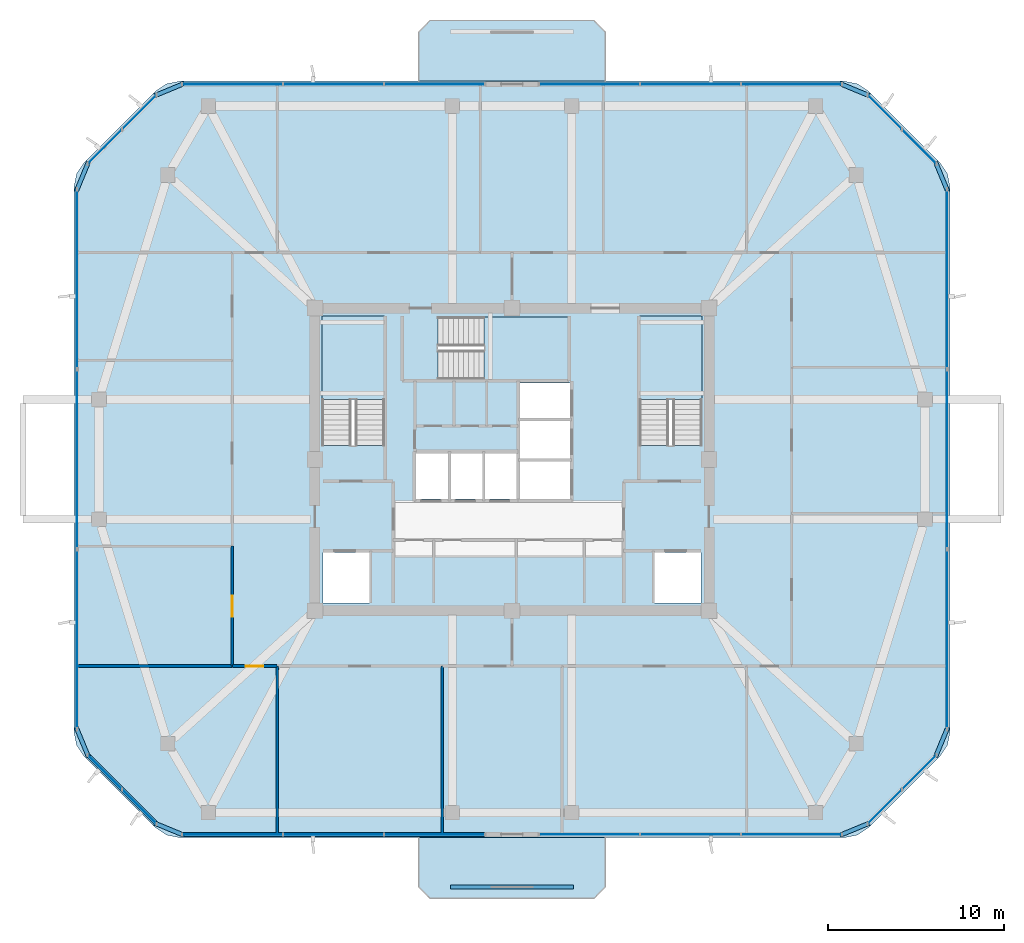
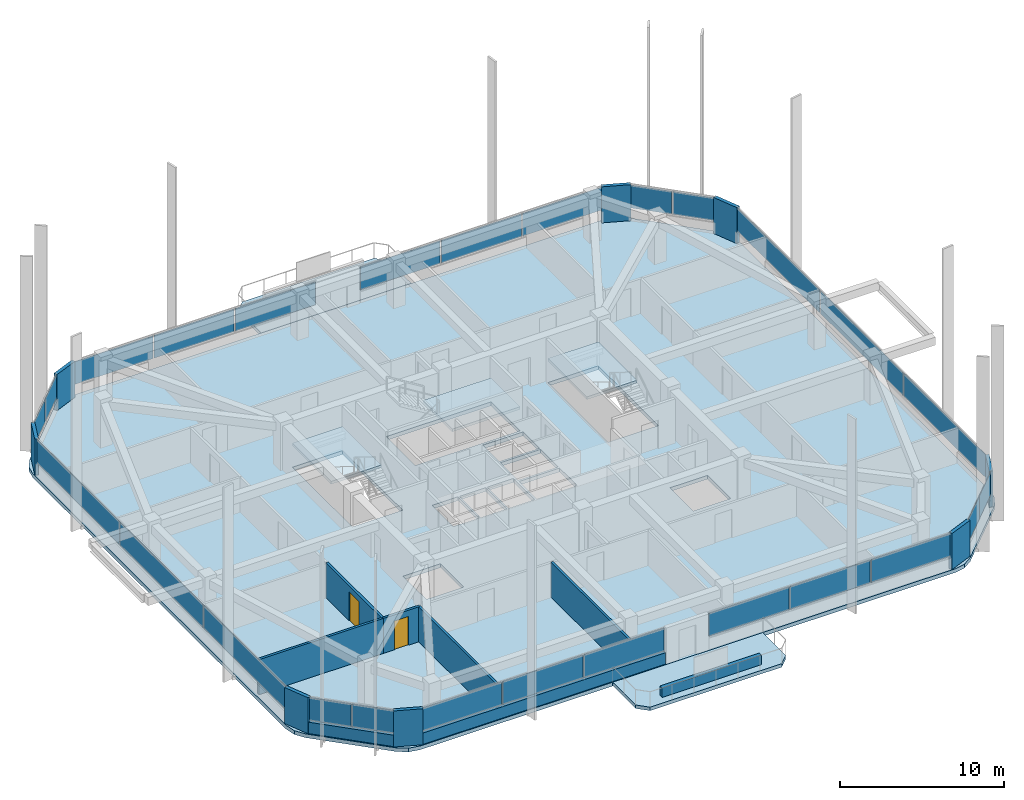
# One storey, part 6 of 13: 34 plates, 8 walls, 6 slabs, 2 doors, 2 openings, 13 elements without a shape of their own.
"""IFC4 building model written with IfcOpenShell, lengths in metres."""

from ifc_helpers import new_model, si_unit, derived_unit, direction, frame, frame_2d, origin, origin_2d, place, context, subcontext, project, spatial, polyline, rectangle, outline, extrude, material, layer, layer_set, type_object, element, fill, aggregate, save


model = new_model("IFC4")

# Units and contexts
model_context = context("Model", 3, precision=1e-05, world=origin(), true_north=direction((0.0, 1.0)))
body_context = subcontext(model_context, "Body", "Model", "MODEL_VIEW")
ifc_project = project(units=[si_unit("LENGTHUNIT", "METRE"), si_unit("AREAUNIT", "SQUARE_METRE"), si_unit("VOLUMEUNIT", "CUBIC_METRE"), si_unit("PLANEANGLEUNIT", "RADIAN"), si_unit("MASSUNIT", "GRAM", prefix="KILO"), derived_unit("THERMALTRANSMITTANCEUNIT", [(si_unit("POWERUNIT", "WATT"), 1), (si_unit("LENGTHUNIT", "METRE"), -2), (si_unit("THERMODYNAMICTEMPERATUREUNIT", "KELVIN"), -1)])], contexts=[model_context])

# Site, building, storey
site_placement = place(None, origin())
site = spatial("IfcSite", under=ifc_project, at=site_placement, CompositionType="ELEMENT")
building_placement = place(site_placement, origin())
building = spatial("IfcBuilding", under=site, at=building_placement, Name="Koralith Skygarden Medical Center", CompositionType="ELEMENT")
storey_placement = place(building_placement, frame((0.0, 0.0, 253.6201171875)))
storey = spatial("IfcBuildingStorey", under=building, at=storey_placement, Name="L65", CompositionType="ELEMENT", Elevation=253.6201171875)

# Curtain wall, plates
ifc_material_1 = material(Name="Clear Laminated Glass", Category="glass")
curtain_wall_type = type_object("IfcCurtainWallType", Name="CW-6 Zone 5 Upper Clinical Curtain Wall", PredefinedType="NOTDEFINED", material=ifc_material_1)
curtain_wall_1_placement = place(storey_placement, origin())
curtain_wall_1 = element("IfcCurtainWall", 1, at=curtain_wall_1_placement, inside=storey, type_object=curtain_wall_type, Name="Curtain Wall CW-L65-S-L", PredefinedType="NOTDEFINED")
ifc_layer_1 = layer(ifc_material_1, 0.0400390625)
ifc_layer_set_1 = layer_set([ifc_layer_1], Name="Clear Laminated Glass")
plate_type_1 = type_object("IfcPlateType", Name="CW-6 Hurricane Laminated IGU Panel 40", PredefinedType="CURTAIN_PANEL", material=ifc_layer_set_1)
plate_1_placement = place(storey_placement, frame((21.1220703125, 4.580078125, 0.919921875), z_axis=(0.0, 0.0, 1.0), x_axis=(1.0, 0.0, 0.0)))
plate_1 = element("IfcPlate", 2, at=plate_1_placement, type_object=plate_type_1, Name="CW-L65-S-L Glazed Panel 1", PredefinedType="CURTAIN_PANEL", context=body_context, shape_type="SweptSolid", body=[
    extrude(rectangle(XDim=5.64501953125, YDim=0.0400390625, at=origin_2d()), origin(), (0.0, 0.0, 1.0), 1.699951171875),
])
plate_2_placement = place(storey_placement, frame((26.85693359375, 4.580078125, 0.919921875), z_axis=(0.0, 0.0, 1.0), x_axis=(1.0, 0.0, 0.0)))
plate_2 = element("IfcPlate", 3, at=plate_2_placement, type_object=plate_type_1, Name="CW-L65-S-L Glazed Panel 2", PredefinedType="CURTAIN_PANEL", context=body_context, shape_type="SweptSolid", body=[
    extrude(rectangle(XDim=5.64501953125, YDim=0.0400390625, at=origin_2d()), origin(), (0.0, 0.0, 1.0), 1.699951171875),
])
plate_3_placement = place(storey_placement, frame((32.592041015625, 4.580078125, 0.919921875), z_axis=(0.0, 0.0, 1.0), x_axis=(1.0, 0.0, 0.0)))
plate_3 = element("IfcPlate", 4, at=plate_3_placement, type_object=plate_type_1, Name="CW-L65-S-L Glazed Panel 3", PredefinedType="CURTAIN_PANEL", context=body_context, shape_type="SweptSolid", body=[
    extrude(rectangle(XDim=5.64501953125, YDim=0.0400390625, at=origin_2d()), origin(), (0.0, 0.0, 1.0), 1.699951171875),
])
aggregate(curtain_wall_1, [plate_1, plate_2, plate_3])

curtain_wall_2_placement = place(storey_placement, origin())
curtain_wall_2 = element("IfcCurtainWall", 5, at=curtain_wall_2_placement, inside=storey, type_object=curtain_wall_type, Name="Curtain Wall CW-L65-S-R", PredefinedType="NOTDEFINED")
plate_4_placement = place(storey_placement, frame((41.406982421875, 4.580078125, 0.919921875), z_axis=(0.0, 0.0, 1.0), x_axis=(1.0, 0.0, 0.0)))
plate_4 = element("IfcPlate", 6, at=plate_4_placement, type_object=plate_type_1, Name="CW-L65-S-R Glazed Panel 1", PredefinedType="CURTAIN_PANEL", context=body_context, shape_type="SweptSolid", body=[
    extrude(rectangle(XDim=5.64501953125, YDim=0.0400390625, at=origin_2d()), origin(), (0.0, 0.0, 1.0), 1.699951171875),
])
plate_5_placement = place(storey_placement, frame((47.14208984375, 4.580078125, 0.919921875), z_axis=(0.0, 0.0, 1.0), x_axis=(1.0, 0.0, 0.0)))
plate_5 = element("IfcPlate", 7, at=plate_5_placement, type_object=plate_type_1, Name="CW-L65-S-R Glazed Panel 2", PredefinedType="CURTAIN_PANEL", context=body_context, shape_type="SweptSolid", body=[
    extrude(rectangle(XDim=5.64501953125, YDim=0.0400390625, at=origin_2d()), origin(), (0.0, 0.0, 1.0), 1.699951171875),
])
plate_6_placement = place(storey_placement, frame((52.876953125, 4.580078125, 0.919921875), z_axis=(0.0, 0.0, 1.0), x_axis=(1.0, 0.0, 0.0)))
plate_6 = element("IfcPlate", 8, at=plate_6_placement, type_object=plate_type_1, Name="CW-L65-S-R Glazed Panel 3", PredefinedType="CURTAIN_PANEL", context=body_context, shape_type="SweptSolid", body=[
    extrude(rectangle(XDim=5.64501953125, YDim=0.0400390625, at=origin_2d()), origin(), (0.0, 0.0, 1.0), 1.699951171875),
])
aggregate(curtain_wall_2, [plate_4, plate_5, plate_6])

curtain_wall_3_placement = place(storey_placement, origin())
curtain_wall_3 = element("IfcCurtainWall", 9, at=curtain_wall_3_placement, inside=storey, type_object=curtain_wall_type, Name="Curtain Wall CW-L65-SE", PredefinedType="NOTDEFINED")
plate_7_placement = place(storey_placement, frame((58.177001953125, 6.162109375, 0.919921875), z_axis=(0.0, 0.0, 1.0), x_axis=(0.707106781187, 0.707106781187, 0.0)))
plate_7 = element("IfcPlate", 10, at=plate_7_placement, type_object=plate_type_1, Name="CW-L65-SE Glazed Panel 1", PredefinedType="CURTAIN_PANEL", context=body_context, shape_type="SweptSolid", body=[
    extrude(rectangle(XDim=2.68408203125, YDim=0.0400390625, at=origin_2d()), origin(), (0.0, 0.0, 1.0), 1.699951171875),
])
plate_8_placement = place(storey_placement, frame((60.137939453125, 8.123046875, 0.919921875), z_axis=(0.0, 0.0, 1.0), x_axis=(0.707106781187, 0.707106781187, 0.0)))
plate_8 = element("IfcPlate", 11, at=plate_8_placement, type_object=plate_type_1, Name="CW-L65-SE Glazed Panel 2", PredefinedType="CURTAIN_PANEL", context=body_context, shape_type="SweptSolid", body=[
    extrude(rectangle(XDim=2.68408203125, YDim=0.0400390625, at=origin_2d()), origin(), (0.0, 0.0, 1.0), 1.699951171875),
])
aggregate(curtain_wall_3, [plate_7, plate_8])

curtain_wall_4_placement = place(storey_placement, origin())
curtain_wall_4 = element("IfcCurtainWall", 12, at=curtain_wall_4_placement, inside=storey, type_object=curtain_wall_type, Name="Curtain Wall CW-L65-E", PredefinedType="NOTDEFINED")
plate_9_placement = place(storey_placement, frame((61.719970703125, 15.669921875, 0.919921875), z_axis=(0.0, 0.0, 1.0), x_axis=(0.0, 1.0, 0.0)))
plate_9 = element("IfcPlate", 13, at=plate_9_placement, type_object=plate_type_1, Name="CW-L65-E Glazed Panel 1", PredefinedType="CURTAIN_PANEL", context=body_context, shape_type="SweptSolid", body=[
    extrude(rectangle(XDim=10.139892578125, YDim=0.0400390625, at=origin_2d()), origin(), (0.0, 0.0, 1.0), 1.699951171875),
])
plate_10_placement = place(storey_placement, frame((61.719970703125, 25.89990234375, 0.919921875), z_axis=(0.0, 0.0, 1.0), x_axis=(0.0, 1.0, 0.0)))
plate_10 = element("IfcPlate", 14, at=plate_10_placement, type_object=plate_type_1, Name="CW-L65-E Glazed Panel 2", PredefinedType="CURTAIN_PANEL", context=body_context, shape_type="SweptSolid", body=[
    extrude(rectangle(XDim=10.139892578125, YDim=0.0400390625, at=origin_2d()), origin(), (0.0, 0.0, 1.0), 1.699951171875),
])
plate_11_placement = place(storey_placement, frame((61.719970703125, 36.1298828125, 0.919921875), z_axis=(0.0, 0.0, 1.0), x_axis=(0.0, 1.0, 0.0)))
plate_11 = element("IfcPlate", 15, at=plate_11_placement, type_object=plate_type_1, Name="CW-L65-E Glazed Panel 3", PredefinedType="CURTAIN_PANEL", context=body_context, shape_type="SweptSolid", body=[
    extrude(rectangle(XDim=10.139892578125, YDim=0.0400390625, at=origin_2d()), origin(), (0.0, 0.0, 1.0), 1.699951171875),
])
aggregate(curtain_wall_4, [plate_9, plate_10, plate_11])

curtain_wall_5_placement = place(storey_placement, origin())
curtain_wall_5 = element("IfcCurtainWall", 16, at=curtain_wall_5_placement, inside=storey, type_object=curtain_wall_type, Name="Curtain Wall CW-L65-NE", PredefinedType="NOTDEFINED")
plate_12_placement = place(storey_placement, frame((60.137939453125, 43.677001953125, 0.919921875), z_axis=(0.0, 0.0, 1.0), x_axis=(-0.707106781187, 0.707106781187, 0.0)))
plate_12 = element("IfcPlate", 17, at=plate_12_placement, type_object=plate_type_1, Name="CW-L65-NE Glazed Panel 1", PredefinedType="CURTAIN_PANEL", context=body_context, shape_type="SweptSolid", body=[
    extrude(rectangle(XDim=2.68408203125, YDim=0.0400390625, at=origin_2d()), origin(), (0.0, 0.0, 1.0), 1.699951171875),
])
plate_13_placement = place(storey_placement, frame((58.177001953125, 45.637939453125, 0.919921875), z_axis=(0.0, 0.0, 1.0), x_axis=(-0.707106781187, 0.707106781187, 0.0)))
plate_13 = element("IfcPlate", 18, at=plate_13_placement, type_object=plate_type_1, Name="CW-L65-NE Glazed Panel 2", PredefinedType="CURTAIN_PANEL", context=body_context, shape_type="SweptSolid", body=[
    extrude(rectangle(XDim=2.68408203125, YDim=0.0400390625, at=origin_2d()), origin(), (0.0, 0.0, 1.0), 1.699951171875),
])
aggregate(curtain_wall_5, [plate_12, plate_13])

curtain_wall_6_placement = place(storey_placement, origin())
curtain_wall_6 = element("IfcCurtainWall", 19, at=curtain_wall_6_placement, inside=storey, type_object=curtain_wall_type, Name="Curtain Wall CW-L65-N-L", PredefinedType="NOTDEFINED")
plate_14_placement = place(storey_placement, frame((52.8779296875, 47.219970703125, 0.919921875), z_axis=(0.0, 0.0, 1.0), x_axis=(-1.0, 0.0, 0.0)))
plate_14 = element("IfcPlate", 20, at=plate_14_placement, type_object=plate_type_1, Name="CW-L65-N-L Glazed Panel 1", PredefinedType="CURTAIN_PANEL", context=body_context, shape_type="SweptSolid", body=[
    extrude(rectangle(XDim=5.64501953125, YDim=0.0400390625, at=origin_2d()), origin(), (0.0, 0.0, 1.0), 1.699951171875),
])
plate_15_placement = place(storey_placement, frame((47.14306640625, 47.219970703125, 0.919921875), z_axis=(0.0, 0.0, 1.0), x_axis=(-1.0, 0.0, 0.0)))
plate_15 = element("IfcPlate", 21, at=plate_15_placement, type_object=plate_type_1, Name="CW-L65-N-L Glazed Panel 2", PredefinedType="CURTAIN_PANEL", context=body_context, shape_type="SweptSolid", body=[
    extrude(rectangle(XDim=5.64501953125, YDim=0.0400390625, at=origin_2d()), origin(), (0.0, 0.0, 1.0), 1.699951171875),
])
plate_16_placement = place(storey_placement, frame((41.407958984375, 47.219970703125, 0.919921875), z_axis=(0.0, 0.0, 1.0), x_axis=(-1.0, 0.0, 0.0)))
plate_16 = element("IfcPlate", 22, at=plate_16_placement, type_object=plate_type_1, Name="CW-L65-N-L Glazed Panel 3", PredefinedType="CURTAIN_PANEL", context=body_context, shape_type="SweptSolid", body=[
    extrude(rectangle(XDim=5.64501953125, YDim=0.0400390625, at=origin_2d()), origin(), (0.0, 0.0, 1.0), 1.699951171875),
])
aggregate(curtain_wall_6, [plate_14, plate_15, plate_16])

curtain_wall_7_placement = place(storey_placement, origin())
curtain_wall_7 = element("IfcCurtainWall", 23, at=curtain_wall_7_placement, inside=storey, type_object=curtain_wall_type, Name="Curtain Wall CW-L65-N-R", PredefinedType="NOTDEFINED")
plate_17_placement = place(storey_placement, frame((32.593017578125, 47.219970703125, 0.919921875), z_axis=(0.0, 0.0, 1.0), x_axis=(-1.0, 0.0, 0.0)))
plate_17 = element("IfcPlate", 24, at=plate_17_placement, type_object=plate_type_1, Name="CW-L65-N-R Glazed Panel 1", PredefinedType="CURTAIN_PANEL", context=body_context, shape_type="SweptSolid", body=[
    extrude(rectangle(XDim=5.64501953125, YDim=0.0400390625, at=origin_2d()), origin(), (0.0, 0.0, 1.0), 1.699951171875),
])
plate_18_placement = place(storey_placement, frame((26.85791015625, 47.219970703125, 0.919921875), z_axis=(0.0, 0.0, 1.0), x_axis=(-1.0, 0.0, 0.0)))
plate_18 = element("IfcPlate", 25, at=plate_18_placement, type_object=plate_type_1, Name="CW-L65-N-R Glazed Panel 2", PredefinedType="CURTAIN_PANEL", context=body_context, shape_type="SweptSolid", body=[
    extrude(rectangle(XDim=5.64501953125, YDim=0.0400390625, at=origin_2d()), origin(), (0.0, 0.0, 1.0), 1.699951171875),
])
plate_19_placement = place(storey_placement, frame((21.123046875, 47.219970703125, 0.919921875), z_axis=(0.0, 0.0, 1.0), x_axis=(-1.0, 0.0, 0.0)))
plate_19 = element("IfcPlate", 26, at=plate_19_placement, type_object=plate_type_1, Name="CW-L65-N-R Glazed Panel 3", PredefinedType="CURTAIN_PANEL", context=body_context, shape_type="SweptSolid", body=[
    extrude(rectangle(XDim=5.64501953125, YDim=0.0400390625, at=origin_2d()), origin(), (0.0, 0.0, 1.0), 1.699951171875),
])
aggregate(curtain_wall_7, [plate_17, plate_18, plate_19])

curtain_wall_8_placement = place(storey_placement, origin())
curtain_wall_8 = element("IfcCurtainWall", 27, at=curtain_wall_8_placement, inside=storey, type_object=curtain_wall_type, Name="Curtain Wall CW-L65-NW", PredefinedType="NOTDEFINED")
plate_20_placement = place(storey_placement, frame((15.822998046875, 45.637939453125, 0.919921875), z_axis=(0.0, 0.0, 1.0), x_axis=(-0.707106781187, -0.707106781187, 0.0)))
plate_20 = element("IfcPlate", 28, at=plate_20_placement, type_object=plate_type_1, Name="CW-L65-NW Glazed Panel 1", PredefinedType="CURTAIN_PANEL", context=body_context, shape_type="SweptSolid", body=[
    extrude(rectangle(XDim=2.68408203125, YDim=0.0400390625, at=origin_2d()), origin(), (0.0, 0.0, 1.0), 1.699951171875),
])
plate_21_placement = place(storey_placement, frame((13.862060546875, 43.677001953125, 0.919921875), z_axis=(0.0, 0.0, 1.0), x_axis=(-0.707106781187, -0.707106781187, 0.0)))
plate_21 = element("IfcPlate", 29, at=plate_21_placement, type_object=plate_type_1, Name="CW-L65-NW Glazed Panel 2", PredefinedType="CURTAIN_PANEL", context=body_context, shape_type="SweptSolid", body=[
    extrude(rectangle(XDim=2.68408203125, YDim=0.0400390625, at=origin_2d()), origin(), (0.0, 0.0, 1.0), 1.699951171875),
])
aggregate(curtain_wall_8, [plate_20, plate_21])

curtain_wall_9_placement = place(storey_placement, origin())
curtain_wall_9 = element("IfcCurtainWall", 30, at=curtain_wall_9_placement, inside=storey, type_object=curtain_wall_type, Name="Curtain Wall CW-L65-W", PredefinedType="NOTDEFINED")
plate_22_placement = place(storey_placement, frame((12.280029296875, 36.1298828125, 0.919921875), z_axis=(0.0, 0.0, 1.0), x_axis=(0.0, -1.0, 0.0)))
plate_22 = element("IfcPlate", 31, at=plate_22_placement, type_object=plate_type_1, Name="CW-L65-W Glazed Panel 1", PredefinedType="CURTAIN_PANEL", context=body_context, shape_type="SweptSolid", body=[
    extrude(rectangle(XDim=10.139892578125, YDim=0.0400390625, at=origin_2d()), origin(), (0.0, 0.0, 1.0), 1.699951171875),
])
plate_23_placement = place(storey_placement, frame((12.280029296875, 25.89990234375, 0.919921875), z_axis=(0.0, 0.0, 1.0), x_axis=(0.0, -1.0, 0.0)))
plate_23 = element("IfcPlate", 32, at=plate_23_placement, type_object=plate_type_1, Name="CW-L65-W Glazed Panel 2", PredefinedType="CURTAIN_PANEL", context=body_context, shape_type="SweptSolid", body=[
    extrude(rectangle(XDim=10.139892578125, YDim=0.0400390625, at=origin_2d()), origin(), (0.0, 0.0, 1.0), 1.699951171875),
])
plate_24_placement = place(storey_placement, frame((12.280029296875, 15.669921875, 0.919921875), z_axis=(0.0, 0.0, 1.0), x_axis=(0.0, -1.0, 0.0)))
plate_24 = element("IfcPlate", 33, at=plate_24_placement, type_object=plate_type_1, Name="CW-L65-W Glazed Panel 3", PredefinedType="CURTAIN_PANEL", context=body_context, shape_type="SweptSolid", body=[
    extrude(rectangle(XDim=10.139892578125, YDim=0.0400390625, at=origin_2d()), origin(), (0.0, 0.0, 1.0), 1.699951171875),
])
aggregate(curtain_wall_9, [plate_22, plate_23, plate_24])

curtain_wall_10_placement = place(storey_placement, origin())
curtain_wall_10 = element("IfcCurtainWall", 34, at=curtain_wall_10_placement, inside=storey, type_object=curtain_wall_type, Name="Curtain Wall CW-L65-SW", PredefinedType="NOTDEFINED")
plate_25_placement = place(storey_placement, frame((13.862060546875, 8.123046875, 0.919921875), z_axis=(0.0, 0.0, 1.0), x_axis=(0.707106781187, -0.707106781187, 0.0)))
plate_25 = element("IfcPlate", 35, at=plate_25_placement, type_object=plate_type_1, Name="CW-L65-SW Glazed Panel 1", PredefinedType="CURTAIN_PANEL", context=body_context, shape_type="SweptSolid", body=[
    extrude(rectangle(XDim=2.68408203125, YDim=0.0400390625, at=origin_2d()), origin(), (0.0, 0.0, 1.0), 1.699951171875),
])
plate_26_placement = place(storey_placement, frame((15.822998046875, 6.162109375, 0.919921875), z_axis=(0.0, 0.0, 1.0), x_axis=(0.707106781187, -0.707106781187, 0.0)))
plate_26 = element("IfcPlate", 36, at=plate_26_placement, type_object=plate_type_1, Name="CW-L65-SW Glazed Panel 2", PredefinedType="CURTAIN_PANEL", context=body_context, shape_type="SweptSolid", body=[
    extrude(rectangle(XDim=2.68408203125, YDim=0.0400390625, at=origin_2d()), origin(), (0.0, 0.0, 1.0), 1.699951171875),
])
aggregate(curtain_wall_10, [plate_25, plate_26])

# Slabs
ifc_material_2 = material(Name="Concrete C45/55", Category="concrete")
ifc_layer_2 = layer(ifc_material_2, 0.260009765625)
ifc_layer_set_2 = layer_set([ifc_layer_2], Name="Concrete C45/55")
slab_type_1 = type_object("IfcSlabType", Name="Cantilevered Planted Balcony Slab 260", PredefinedType="FLOOR", material=ifc_layer_set_2)
slab_1_placement = place(storey_placement, frame((0.0, 0.0, -0.260009765625)))
element("IfcSlab", 37, at=slab_1_placement, inside=storey, type_object=slab_type_1, Name="L65 N Planted Sky-Garden Balcony Slab", PredefinedType="FLOOR", context=body_context, shape_type="SweptSolid", body=[
    extrude(outline(polyline([(31.699951171875, 47.39990234375), (42.300048828125, 47.39990234375), (42.300048828125, 50.199951171875), (41.64990234375, 50.85009765625), (32.35009765625, 50.85009765625), (31.699951171875, 50.199951171875), (31.699951171875, 47.39990234375)])), origin(), (0.0, 0.0, 1.0), 0.260009765625),
])
slab_2_placement = place(storey_placement, frame((0.0, 0.0, -0.260009765625)))
element("IfcSlab", 38, at=slab_2_placement, inside=storey, type_object=slab_type_1, Name="L65 S Planted Sky-Garden Balcony Slab", PredefinedType="FLOOR", context=body_context, shape_type="SweptSolid", body=[
    extrude(outline(polyline([(32.35009765625, 0.949951171875), (41.64990234375, 0.949951171875), (42.300048828125, 1.60009765625), (42.300048828125, 4.39990234375), (31.699951171875, 4.39990234375), (31.699951171875, 1.60009765625), (32.35009765625, 0.949951171875)])), origin(), (0.0, 0.0, 1.0), 0.260009765625),
])

# Stair, slab
stair_type = type_object("IfcStairType", Name="Core Exit Dogleg Concrete Stair", PredefinedType="HALF_TURN_STAIR", material=ifc_material_2)
stair_1_placement = place(storey_placement, origin())
stair_1 = element("IfcStair", 39, at=stair_1_placement, inside=storey, type_object=stair_type, Name="L65 Smokeproof Exit Stair ST1", PredefinedType="HALF_TURN_STAIR")
ifc_layer_3 = layer(ifc_material_2, 0.199951171875)
ifc_layer_set_3 = layer_set([ifc_layer_3], Name="Concrete C45/55")
slab_type_2 = type_object("IfcSlabType", Name="Core Exit Concrete Stair Landing 200", PredefinedType="LANDING", material=ifc_layer_set_3)
slab_3_placement = place(storey_placement, frame((0.0, 0.0, 1.599853515625)))
slab_3 = element("IfcSlab", 40, at=slab_3_placement, type_object=slab_type_2, Name="ST1 landing 1", PredefinedType="LANDING", context=body_context, shape_type="SweptSolid", body=[
    extrude(outline(polyline([(29.75, 29.31005859375), (29.75, 34.050048828125), (26.199951171875, 34.050048828125), (26.199951171875, 29.31005859375), (29.75, 29.31005859375)])), origin(), (0.0, 0.0, 1.0), 0.199951171875),
])
aggregate(stair_1, [slab_3])

stair_2_placement = place(storey_placement, origin())
stair_2 = element("IfcStair", 41, at=stair_2_placement, inside=storey, type_object=stair_type, Name="L65 Smokeproof Exit Stair ST2", PredefinedType="HALF_TURN_STAIR")
slab_4_placement = place(storey_placement, frame((0.0, 0.0, 1.599853515625)))
slab_4 = element("IfcSlab", 42, at=slab_4_placement, type_object=slab_type_2, Name="ST2 landing 1", PredefinedType="LANDING", context=body_context, shape_type="SweptSolid", body=[
    extrude(outline(polyline([(47.800048828125, 29.31005859375), (47.800048828125, 34.050048828125), (44.25, 34.050048828125), (44.25, 29.31005859375), (47.800048828125, 29.31005859375)])), origin(), (0.0, 0.0, 1.0), 0.199951171875),
])
aggregate(stair_2, [slab_4])

stair_3_placement = place(storey_placement, origin())
stair_3 = element("IfcStair", 43, at=stair_3_placement, inside=storey, type_object=stair_type, Name="L65 Smokeproof Exit Stair ST3", PredefinedType="HALF_TURN_STAIR")
slab_5_placement = place(storey_placement, frame((0.0, 0.0, 1.599853515625)))
slab_5 = element("IfcSlab", 44, at=slab_5_placement, type_object=slab_type_2, Name="ST3 landing 1", PredefinedType="LANDING", context=body_context, shape_type="SweptSolid", body=[
    extrude(outline(polyline([(35.409912109375, 30.449951171875), (40.199951171875, 30.449951171875), (40.199951171875, 34.0), (35.409912109375, 34.0), (35.409912109375, 30.449951171875)])), origin(), (0.0, 0.0, 1.0), 0.199951171875),
])
aggregate(stair_3, [slab_5])

# Slab
ifc_layer_4 = layer(ifc_material_2, 0.280029296875)
ifc_layer_set_4 = layer_set([ifc_layer_4], Name="Concrete C45/55")
slab_type_3 = type_object("IfcSlabType", Name="Post-Tensioned Ward Floor Plate 280", PredefinedType="FLOOR", material=ifc_layer_set_4)
slab_6_placement = place(storey_placement, frame((0.0, 0.0, -0.280029296875)))
element("IfcSlab", 45, at=slab_6_placement, inside=storey, type_object=slab_type_3, Name="Level L65 Structural Floor Slab", PredefinedType="FLOOR", context=body_context, shape_type="SweptSolid", body=[
    extrude(outline(polyline([(16.714111328125, 4.986083984375), (17.363037109375, 4.552001953125), (18.1279296875, 4.39990234375), (55.8720703125, 4.39990234375), (56.636962890625, 4.552001953125), (57.285888671875, 4.986083984375), (61.31396484375, 9.013916015625), (61.748046875, 9.6630859375), (61.89990234375, 10.427978515625), (61.89990234375, 41.3720703125), (61.748046875, 42.136962890625), (61.31396484375, 42.785888671875), (57.285888671875, 46.81396484375), (56.636962890625, 47.248046875), (55.8720703125, 47.39990234375), (18.1279296875, 47.39990234375), (17.363037109375, 47.248046875), (16.714111328125, 46.81396484375), (12.68603515625, 42.785888671875), (12.251953125, 42.136962890625), (12.10009765625, 41.3720703125), (12.10009765625, 10.427978515625), (12.251953125, 9.6630859375), (12.68603515625, 9.013916015625), (16.714111328125, 4.986083984375)]), holes=[polyline([(26.199951171875, 26.705078125), (29.75, 26.705078125), (29.75, 34.050048828125), (26.199951171875, 34.050048828125), (26.199951171875, 26.705078125)]), polyline([(44.25, 26.705078125), (47.800048828125, 26.705078125), (47.800048828125, 34.050048828125), (44.25, 34.050048828125), (44.25, 26.705078125)]), polyline([(32.804931640625, 30.449951171875), (40.199951171875, 30.449951171875), (40.199951171875, 34.0), (32.804931640625, 34.0), (32.804931640625, 30.449951171875)]), polyline([(26.25, 17.75), (28.89990234375, 17.75), (28.89990234375, 20.60009765625), (26.25, 20.60009765625), (26.25, 17.75)]), polyline([(45.10009765625, 17.75), (47.75, 17.75), (47.75, 20.60009765625), (45.10009765625, 20.60009765625), (45.10009765625, 17.75)]), polyline([(31.550048828125, 23.64990234375), (33.39990234375, 23.64990234375), (33.39990234375, 26.25), (31.550048828125, 26.25), (31.550048828125, 23.64990234375)]), polyline([(33.5, 23.64990234375), (35.35009765625, 23.64990234375), (35.35009765625, 26.25), (33.5, 26.25), (33.5, 23.64990234375)]), polyline([(35.449951171875, 23.64990234375), (37.300048828125, 23.64990234375), (37.300048828125, 26.25), (35.449951171875, 26.25), (35.449951171875, 23.64990234375)]), polyline([(37.449951171875, 23.64990234375), (40.300048828125, 23.64990234375), (40.300048828125, 25.800048828125), (37.449951171875, 25.800048828125), (37.449951171875, 23.64990234375)]), polyline([(37.449951171875, 25.949951171875), (40.300048828125, 25.949951171875), (40.300048828125, 28.10009765625), (37.449951171875, 28.10009765625), (37.449951171875, 25.949951171875)]), polyline([(37.449951171875, 28.25), (40.300048828125, 28.25), (40.300048828125, 30.25), (37.449951171875, 30.25), (37.449951171875, 28.25)])]), origin(), (0.0, 0.0, 1.0), 0.280029296875),
])

# Plates
ifc_material_3 = material(Name="Warm Oolitic Limestone Cladding", Category="masonry")
ifc_layer_5 = layer(ifc_material_3, 0.239990234375)
ifc_layer_set_5 = layer_set([ifc_layer_5], Name="Warm Oolitic Limestone Cladding")
plate_type_2 = type_object("IfcPlateType", Name="Rounded-Corner Oolitic Limestone Cladding Panel 240", PredefinedType="USERDEFINED", material=ifc_layer_set_5)
for number, where, z_axis, x_axis, name in (
    (46, (56.470947265625, 4.8798828125, 0.0), (0.0, 0.0, 1.0), (0.92388487569, 0.382670532536, 0.0), "L65 Rounded-Corner Limestone Pier 1"),
    (47, (61.4189453125, 9.8291015625, 0.0), (0.0, 0.0, 1.0), (0.382670532536, 0.92388487569, 0.0), "L65 Rounded-Corner Limestone Pier 2"),
    (48, (61.4189453125, 41.970947265625, 0.0), (0.0, 0.0, 1.0), (-0.382670532536, 0.92388487569, 0.0), "L65 Rounded-Corner Limestone Pier 3"),
    (49, (56.470947265625, 46.9189453125, 0.0), (0.0, 0.0, 1.0), (-0.92388487569, 0.382670532536, 0.0), "L65 Rounded-Corner Limestone Pier 4"),
    (50, (17.529052734375, 46.9189453125, 0.0), (0.0, 0.0, 1.0), (-0.92388487569, -0.382670532536, 0.0), "L65 Rounded-Corner Limestone Pier 5"),
    (51, (12.5810546875, 41.970947265625, 0.0), (0.0, 0.0, 1.0), (-0.382670532536, -0.92388487569, 0.0), "L65 Rounded-Corner Limestone Pier 6"),
    (52, (12.5810546875, 9.8291015625, 0.0), (0.0, 0.0, 1.0), (0.382670532536, -0.92388487569, 0.0), "L65 Rounded-Corner Limestone Pier 7"),
    (53, (17.529052734375, 4.8798828125, 0.0), (0.0, 0.0, 1.0), (0.92388487569, -0.382670532536, 0.0), "L65 Rounded-Corner Limestone Pier 8"),
):
    element("IfcPlate", number, at=place(storey_placement, frame(where, z_axis=z_axis, x_axis=x_axis)), inside=storey, type_object=plate_type_2, Name=name, ObjectType="LIMESTONE CLADDING", PredefinedType="USERDEFINED", context=body_context, shape_type="SweptSolid", body=[
        extrude(rectangle(XDim=1.81103515625, YDim=0.239990234375, at=origin_2d()), origin(), (0.0, 0.0, 1.0), 2.68994140625),
    ])

# Walls
ifc_material_4 = material(Name="Gypsum Board Partition")
ifc_layer_6 = layer(ifc_material_4, 0.14990234375)
ifc_layer_set_6 = layer_set([ifc_layer_6], Name="Gypsum Board Partition")
wall_type_1 = type_object("IfcWallType", Name="Clinical Acoustic Partition 150", PredefinedType="PARTITIONING", material=ifc_layer_set_6)
for number, where, z_axis, x_axis, name in (
    (54, (23.64990234375, 14.14990234375, 0.0), (0.0, 0.0, 1.0), (0.0, -1.0, 0.0), "L65 Clinical Acoustic Partition 150 W-PART-L65-S-01"),
    (55, (33.041015625, 14.14990234375, 0.0), (0.0, 0.0, 1.0), (0.0, -1.0, 0.0), "L65 Clinical Acoustic Partition 150 W-PART-L65-S-02"),
):
    element("IfcWall", number, at=place(storey_placement, frame(where, z_axis=z_axis, x_axis=x_axis)), inside=storey, type_object=wall_type_1, Name=name, PredefinedType="PARTITIONING", context=body_context, shape_type="SweptSolid", body=[
        extrude(rectangle(XDim=9.5498046875, YDim=0.14990234375, at=frame_2d((4.77490234375, 0.0))), origin(), (0.0, 0.0, 1.0), 2.60986328125),
    ])
ifc_layer_7 = layer(ifc_material_4, 0.1650390625)
ifc_layer_set_7 = layer_set([ifc_layer_7], Name="Gypsum Board Partition")
wall_type_2 = type_object("IfcWallType", Name="Clinical Corridor Partition 165", PredefinedType="PARTITIONING", material=ifc_layer_set_7)
wall_1_placement = place(storey_placement, frame((12.300048828125, 14.14990234375, 0.0), z_axis=(0.0, 0.0, 1.0), x_axis=(1.0, 0.0, 0.0)))
element("IfcWall", 56, at=wall_1_placement, inside=storey, type_object=wall_type_2, Name="L65 Clinical Corridor Partition 165 W-WB-L65-SW", PredefinedType="PARTITIONING", context=body_context, shape_type="SweptSolid", body=[
    extrude(rectangle(XDim=8.800048828125, YDim=0.1650390625, at=frame_2d((4.39990234375, 0.0))), origin(), (0.0, 0.0, 1.0), 2.60986328125),
])

# Wall, opening, door
wall_2_placement = place(storey_placement, frame((21.10009765625, 14.14990234375, 0.0), z_axis=(0.0, 0.0, 1.0), x_axis=(1.0, 0.0, 0.0)))
wall_2 = element("IfcWall", 57, at=wall_2_placement, inside=storey, type_object=wall_type_2, Name="L65 Clinical Corridor Partition 165 W-CORR-L65-S-01", PredefinedType="PARTITIONING", context=body_context, shape_type="SweptSolid", body=[
    extrude(rectangle(XDim=2.5498046875, YDim=0.1650390625, at=frame_2d((1.27490234375, 0.0))), origin(), (0.0, 0.0, 1.0), 2.60986328125),
])
opening_1_placement = place(wall_2_placement, frame((0.77490234375, 0.0, 0.0)))
opening_1 = element("IfcOpeningElement", 58, at=opening_1_placement, cuts=wall_2, Name="Opening D-SUP", PredefinedType="OPENING", context=body_context, shape_type="SweptSolid", body=[
    extrude(rectangle(XDim=1.0, YDim=2.14990234375, at=frame_2d((0.5, 1.074951171875))), frame((0.0, 0.092529296875, 0.0), z_axis=(0.0, -1.0, 0.0), x_axis=(1.0, 0.0, 0.0)), (0.0, 0.0, 1.0), 0.18505859375),
])
ifc_material_5 = material(Name="Aluminium 6063-T6", Category="aluminium")
door_type_1 = type_object("IfcDoorType", Name="Clinical Support Door D-SUP 1000", OperationType="NOTDEFINED", PredefinedType="DOOR", material=ifc_material_5)
door_1_placement = place(opening_1_placement, frame((1.0, 0.0, 0.0), z_axis=(0.0, 0.0, 1.0), x_axis=(-1.0, 0.0, 0.0)))
door_1 = element("IfcDoor", 59, at=door_1_placement, inside=storey, type_object=door_type_1, Name="L65 Otolaryngology Audiology Exam Room 06 Door", OperationType="SINGLE_SWING_LEFT", OverallHeight=2.14990234375, OverallWidth=1.0, PredefinedType="DOOR", context=body_context, shape_type="SweptSolid", body=[
    extrude(rectangle(XDim=1.0, YDim=2.14990234375, at=frame_2d((0.5, 1.074951171875))), frame((0.0, 0.02490234375, 0.0), z_axis=(0.0, -1.0, 0.0), x_axis=(1.0, 0.0, 0.0)), (0.0, 0.0, 1.0), 0.050048828125),
])
fill(opening_1, door_1)

wall_3_placement = place(storey_placement, frame((21.10009765625, 14.14990234375, 0.0), z_axis=(0.0, 0.0, 1.0), x_axis=(0.0, 1.0, 0.0)))
wall_3 = element("IfcWall", 60, at=wall_3_placement, inside=storey, type_object=wall_type_2, Name="L65 Clinical Corridor Partition 165 W-CORR-L65-W-01", PredefinedType="PARTITIONING", context=body_context, shape_type="SweptSolid", body=[
    extrude(rectangle(XDim=6.815185546875, YDim=0.1650390625, at=frame_2d((3.40771484375, 0.0))), origin(), (0.0, 0.0, 1.0), 2.60986328125),
])
opening_2_placement = place(wall_3_placement, frame((2.806884765625, 0.0, 0.0)))
opening_2 = element("IfcOpeningElement", 61, at=opening_2_placement, cuts=wall_3, Name="Opening D-CLN", PredefinedType="OPENING", context=body_context, shape_type="SweptSolid", body=[
    extrude(rectangle(XDim=1.199951171875, YDim=2.14990234375, at=frame_2d((0.60009765625, 1.074951171875))), frame((0.0, 0.092529296875, 0.0), z_axis=(0.0, -1.0, 0.0), x_axis=(1.0, 0.0, 0.0)), (0.0, 0.0, 1.0), 0.18505859375),
])
door_type_2 = type_object("IfcDoorType", Name="Clinical Corridor Door D-CLN 1200", OperationType="NOTDEFINED", PredefinedType="DOOR", material=ifc_material_5)
door_2_placement = place(opening_2_placement, frame((1.199951171875, 0.0, 0.0), z_axis=(0.0, 0.0, 1.0), x_axis=(-1.0, 0.0, 0.0)))
door_2 = element("IfcDoor", 62, at=door_2_placement, inside=storey, type_object=door_type_2, Name="L65 Otolaryngology Audiology Exam Room 11 Door", OperationType="SINGLE_SWING_RIGHT", OverallHeight=2.14990234375, OverallWidth=1.199951171875, PredefinedType="DOOR", context=body_context, shape_type="SweptSolid", body=[
    extrude(rectangle(XDim=1.199951171875, YDim=2.14990234375, at=frame_2d((0.60009765625, 1.074951171875))), frame((0.0, 0.02490234375, 0.0), z_axis=(0.0, -1.0, 0.0), x_axis=(1.0, 0.0, 0.0)), (0.0, 0.0, 1.0), 0.050048828125),
])
fill(opening_2, door_2)

# Walls
ifc_layer_8 = layer(ifc_material_3, 0.239990234375)
ifc_layer_set_8 = layer_set([ifc_layer_8], Name="Warm Oolitic Limestone Cladding")
wall_type_3 = type_object("IfcWallType", Name="Limestone Spandrel Sill Backup Wall 240", PredefinedType="SOLIDWALL", material=ifc_layer_set_8)
wall_4_placement = place(storey_placement, frame((18.2548828125, 4.580078125, 0.0), z_axis=(0.0, 0.0, 1.0), x_axis=(1.0, 0.0, 0.0)))
element("IfcWall", 63, at=wall_4_placement, inside=storey, type_object=wall_type_3, Name="L65 Sill Spandrel S-L", PredefinedType="SOLIDWALL", context=body_context, shape_type="SweptSolid", body=[
    extrude(rectangle(XDim=17.2041015625, YDim=0.239990234375, at=frame_2d((8.60205078125, 0.0))), origin(), (0.0, 0.0, 1.0), 0.849853515625),
])
wall_5_placement = place(storey_placement, frame((12.881103515625, 9.10400390625, 0.0), z_axis=(0.0, 0.0, 1.0), x_axis=(0.707084777957, -0.707128783731, 0.0)))
element("IfcWall", 64, at=wall_5_placement, inside=storey, type_object=wall_type_3, Name="L65 Sill Spandrel SW", PredefinedType="SOLIDWALL", context=body_context, shape_type="SweptSolid", body=[
    extrude(rectangle(XDim=5.5478515625, YDim=0.239990234375, at=frame_2d((2.77392578125, 0.0))), origin(), (0.0, 0.0, 1.0), 0.849853515625),
])
ifc_material_6 = material(Name="Precast concrete C40/50", Category="concrete")
ifc_layer_9 = layer(ifc_material_6, 0.25)
ifc_layer_set_9 = layer_set([ifc_layer_9], Name="Precast concrete C40/50")
wall_type_4 = type_object("IfcWallType", Name="Structural Concrete Balcony Planter Kerb 250", PredefinedType="PARAPET", material=ifc_layer_set_9)
wall_6_placement = place(storey_placement, frame((33.5, 1.60009765625, 0.0), z_axis=(0.0, 0.0, 1.0), x_axis=(1.0, 0.0, 0.0)))
element("IfcWall", 65, at=wall_6_placement, inside=storey, type_object=wall_type_4, Name="L65 S Structural Tree PLANTER Box", PredefinedType="PARAPET", context=body_context, shape_type="SweptSolid", body=[
    extrude(rectangle(XDim=7.0, YDim=0.25, at=frame_2d((3.5, 0.0))), origin(), (0.0, 0.0, 1.0), 0.719970703125),
])

save(model, "model.ifc")
